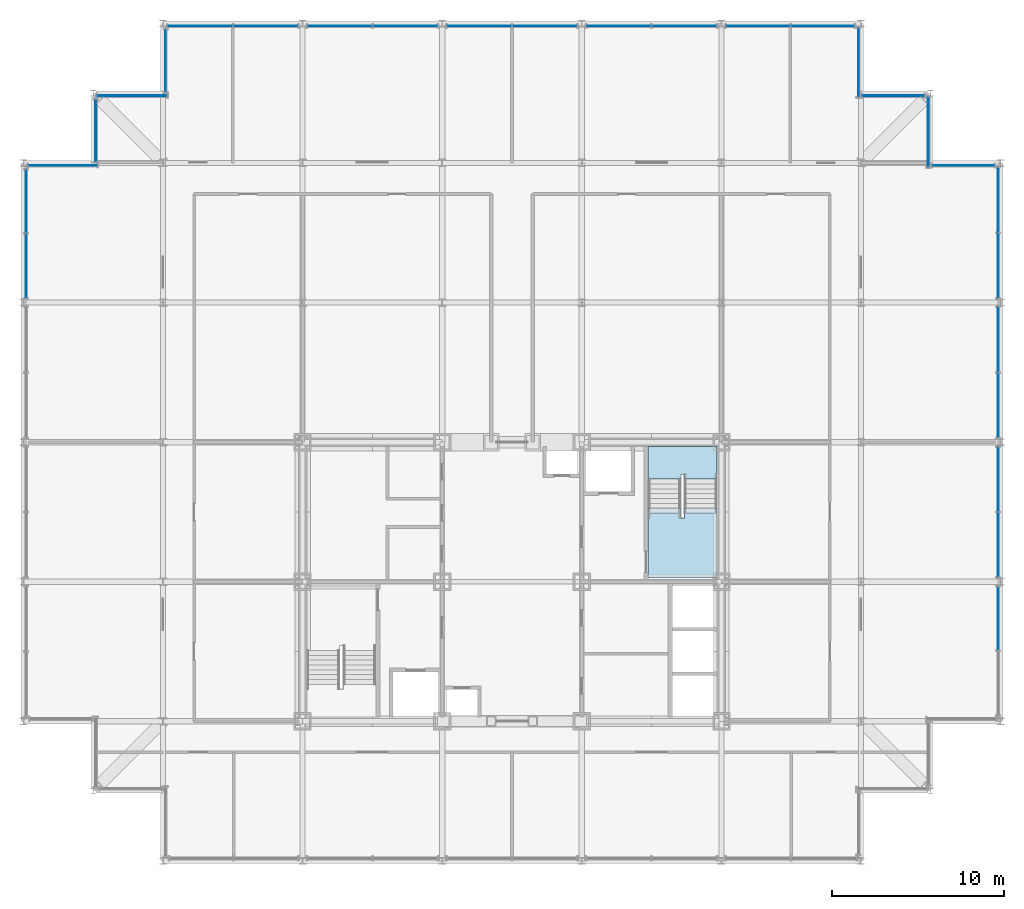
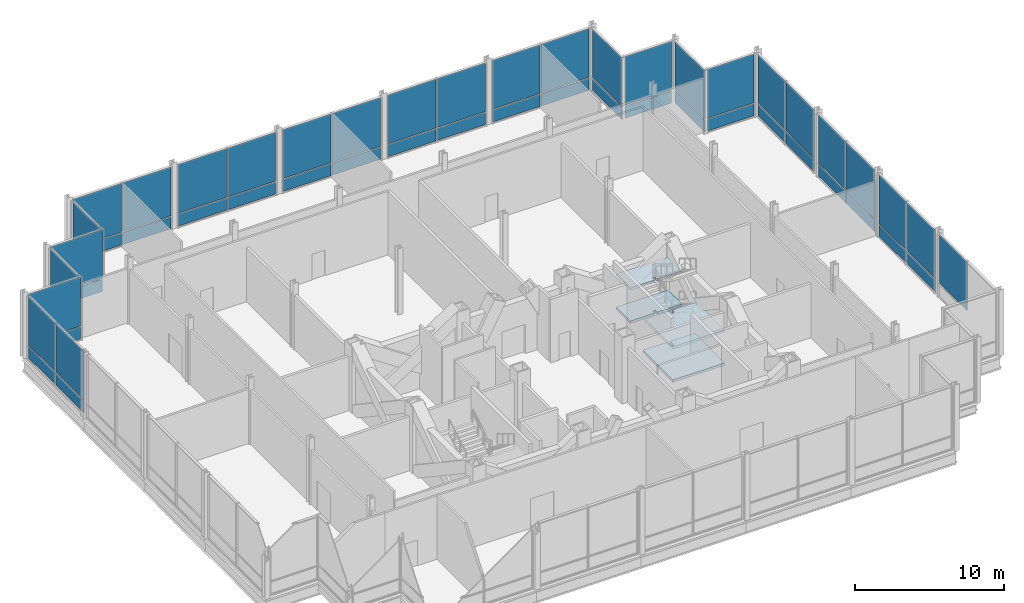
# One storey, part 13 of 21: 53 plates, 4 slabs, 19 elements without a shape of their own.
"""IFC4 building model written with IfcOpenShell, lengths in metres."""

from ifc_helpers import new_model, si_unit, direction, frame, origin, origin_2d, place, context, subcontext, project, spatial, polyline, rectangle, outline, extrude, material, layer, layer_set, type_object, element, aggregate, save


model = new_model("IFC4")

# Units and contexts
model_context = context("Model", 3, precision=1e-05, world=origin(), true_north=direction((0.0, 1.0)))
body_context = subcontext(model_context, "Body", "Model", "MODEL_VIEW")
ifc_project = project(units=[si_unit("LENGTHUNIT", "METRE"), si_unit("AREAUNIT", "SQUARE_METRE"), si_unit("VOLUMEUNIT", "CUBIC_METRE"), si_unit("PLANEANGLEUNIT", "RADIAN"), si_unit("MASSUNIT", "GRAM", prefix="KILO")], contexts=[model_context])

# Site, building, storey
site_placement = place(None, origin())
site = spatial("IfcSite", under=ifc_project, at=site_placement, CompositionType="ELEMENT")
building_placement = place(site_placement, origin())
building = spatial("IfcBuilding", under=site, at=building_placement, Name="Kopane Lantern Tower", CompositionType="ELEMENT")
storey_placement = place(building_placement, frame((0.0, 0.0, 298.5)))
storey = spatial("IfcBuildingStorey", under=building, at=storey_placement, Name="L76", CompositionType="ELEMENT", Elevation=298.5)

# Curtain wall, plate
ifc_material_1 = material(Name="Aluminium and clear glass", Category="aluminium")
curtain_wall_type = type_object("IfcCurtainWallType", Name="CURTAIN WALL CW6 LANTERN CROWN", PredefinedType="USERDEFINED", material=ifc_material_1)
curtain_wall_1_placement = place(storey_placement, origin())
curtain_wall_1 = element("IfcCurtainWall", 1, at=curtain_wall_1_placement, inside=storey, type_object=curtain_wall_type, Name="Curtain wall CW6 E L76", ObjectType="CURTAIN WALL", PredefinedType="USERDEFINED")
ifc_material_2 = material(Name="Insulated clear glass unit", Category="glass")
ifc_layer_1 = layer(ifc_material_2, 0.0400390625)
ifc_layer_set_1 = layer_set([ifc_layer_1], Name="CURTAIN PANEL CW6-P 40")
plate_type = type_object("IfcPlateType", Name="CURTAIN PANEL CW6-P 40", PredefinedType="CURTAIN_PANEL", material=ifc_layer_set_1)
plate_1_placement = place(storey_placement, frame((56.550048828125, 30.278564453125, 1.14013671875), z_axis=(0.0, 0.0, 1.0), x_axis=(0.0, 1.0, 0.0)))
plate_1 = element("IfcPlate", 2, at=plate_1_placement, type_object=plate_type, Name="CW6 panel 2.2", PredefinedType="CURTAIN_PANEL", context=body_context, shape_type="SweptSolid", body=[
    extrude(rectangle(XDim=3.67919921875, YDim=0.0400390625, at=origin_2d()), origin(), (0.0, 0.0, 1.0), 3.969970703125),
])
aggregate(curtain_wall_1, [plate_1])

# Curtain wall, plates
curtain_wall_2_placement = place(storey_placement, origin())
curtain_wall_2 = element("IfcCurtainWall", 3, at=curtain_wall_2_placement, inside=storey, type_object=curtain_wall_type, Name="Curtain wall CW6 E L76", ObjectType="CURTAIN WALL", PredefinedType="USERDEFINED")
plate_2_placement = place(storey_placement, frame((56.550048828125, 34.5458984375, 0.080078125), z_axis=(0.0, 0.0, 1.0), x_axis=(0.0, 1.0, 0.0)))
plate_2 = element("IfcPlate", 4, at=plate_2_placement, type_object=plate_type, Name="CW6 panel 1.1", PredefinedType="CURTAIN_PANEL", context=body_context, shape_type="SweptSolid", body=[
    extrude(rectangle(XDim=3.728271484375, YDim=0.0400390625, at=origin_2d()), origin(), (0.0, 0.0, 1.0), 0.97998046875),
])
plate_3_placement = place(storey_placement, frame((56.550048828125, 34.5458984375, 1.14013671875), z_axis=(0.0, 0.0, 1.0), x_axis=(0.0, 1.0, 0.0)))
plate_3 = element("IfcPlate", 5, at=plate_3_placement, type_object=plate_type, Name="CW6 panel 1.2", PredefinedType="CURTAIN_PANEL", context=body_context, shape_type="SweptSolid", body=[
    extrude(rectangle(XDim=3.728271484375, YDim=0.0400390625, at=origin_2d()), origin(), (0.0, 0.0, 1.0), 3.969970703125),
])
plate_4_placement = place(storey_placement, frame((56.550048828125, 38.35400390625, 0.080078125), z_axis=(0.0, 0.0, 1.0), x_axis=(0.0, 1.0, 0.0)))
plate_4 = element("IfcPlate", 6, at=plate_4_placement, type_object=plate_type, Name="CW6 panel 2.1", PredefinedType="CURTAIN_PANEL", context=body_context, shape_type="SweptSolid", body=[
    extrude(rectangle(XDim=3.728271484375, YDim=0.0400390625, at=origin_2d()), origin(), (0.0, 0.0, 1.0), 0.97998046875),
])
plate_5_placement = place(storey_placement, frame((56.550048828125, 38.35400390625, 1.14013671875), z_axis=(0.0, 0.0, 1.0), x_axis=(0.0, 1.0, 0.0)))
plate_5 = element("IfcPlate", 7, at=plate_5_placement, type_object=plate_type, Name="CW6 panel 2.2", PredefinedType="CURTAIN_PANEL", context=body_context, shape_type="SweptSolid", body=[
    extrude(rectangle(XDim=3.728271484375, YDim=0.0400390625, at=origin_2d()), origin(), (0.0, 0.0, 1.0), 3.969970703125),
])
aggregate(curtain_wall_2, [plate_2, plate_3, plate_4, plate_5])

curtain_wall_3_placement = place(storey_placement, origin())
curtain_wall_3 = element("IfcCurtainWall", 8, at=curtain_wall_3_placement, inside=storey, type_object=curtain_wall_type, Name="Curtain wall CW6 E L76", ObjectType="CURTAIN WALL", PredefinedType="USERDEFINED")
plate_6_placement = place(storey_placement, frame((56.550048828125, 42.64599609375, 0.080078125), z_axis=(0.0, 0.0, 1.0), x_axis=(0.0, 1.0, 0.0)))
plate_6 = element("IfcPlate", 9, at=plate_6_placement, type_object=plate_type, Name="CW6 panel 1.1", PredefinedType="CURTAIN_PANEL", context=body_context, shape_type="SweptSolid", body=[
    extrude(rectangle(XDim=3.728271484375, YDim=0.0400390625, at=origin_2d()), origin(), (0.0, 0.0, 1.0), 0.97998046875),
])
plate_7_placement = place(storey_placement, frame((56.550048828125, 42.64599609375, 1.14013671875), z_axis=(0.0, 0.0, 1.0), x_axis=(0.0, 1.0, 0.0)))
plate_7 = element("IfcPlate", 10, at=plate_7_placement, type_object=plate_type, Name="CW6 panel 1.2", PredefinedType="CURTAIN_PANEL", context=body_context, shape_type="SweptSolid", body=[
    extrude(rectangle(XDim=3.728271484375, YDim=0.0400390625, at=origin_2d()), origin(), (0.0, 0.0, 1.0), 3.969970703125),
])
plate_8_placement = place(storey_placement, frame((56.550048828125, 46.4541015625, 0.080078125), z_axis=(0.0, 0.0, 1.0), x_axis=(0.0, 1.0, 0.0)))
plate_8 = element("IfcPlate", 11, at=plate_8_placement, type_object=plate_type, Name="CW6 panel 2.1", PredefinedType="CURTAIN_PANEL", context=body_context, shape_type="SweptSolid", body=[
    extrude(rectangle(XDim=3.728271484375, YDim=0.0400390625, at=origin_2d()), origin(), (0.0, 0.0, 1.0), 0.97998046875),
])
plate_9_placement = place(storey_placement, frame((56.550048828125, 46.4541015625, 1.14013671875), z_axis=(0.0, 0.0, 1.0), x_axis=(0.0, 1.0, 0.0)))
plate_9 = element("IfcPlate", 12, at=plate_9_placement, type_object=plate_type, Name="CW6 panel 2.2", PredefinedType="CURTAIN_PANEL", context=body_context, shape_type="SweptSolid", body=[
    extrude(rectangle(XDim=3.728271484375, YDim=0.0400390625, at=origin_2d()), origin(), (0.0, 0.0, 1.0), 3.969970703125),
])
aggregate(curtain_wall_3, [plate_6, plate_7, plate_8, plate_9])

curtain_wall_4_placement = place(storey_placement, origin())
curtain_wall_4 = element("IfcCurtainWall", 13, at=curtain_wall_4_placement, inside=storey, type_object=curtain_wall_type, Name="Curtain wall CW6 E L76", ObjectType="CURTAIN WALL", PredefinedType="USERDEFINED")
plate_10_placement = place(storey_placement, frame((56.550048828125, 50.745849609375, 0.080078125), z_axis=(0.0, 0.0, 1.0), x_axis=(0.0, 1.0, 0.0)))
plate_10 = element("IfcPlate", 14, at=plate_10_placement, type_object=plate_type, Name="CW6 panel 1.1", PredefinedType="CURTAIN_PANEL", context=body_context, shape_type="SweptSolid", body=[
    extrude(rectangle(XDim=3.728271484375, YDim=0.0400390625, at=origin_2d()), origin(), (0.0, 0.0, 1.0), 0.97998046875),
])
plate_11_placement = place(storey_placement, frame((56.550048828125, 50.745849609375, 1.14013671875), z_axis=(0.0, 0.0, 1.0), x_axis=(0.0, 1.0, 0.0)))
plate_11 = element("IfcPlate", 15, at=plate_11_placement, type_object=plate_type, Name="CW6 panel 1.2", PredefinedType="CURTAIN_PANEL", context=body_context, shape_type="SweptSolid", body=[
    extrude(rectangle(XDim=3.728271484375, YDim=0.0400390625, at=origin_2d()), origin(), (0.0, 0.0, 1.0), 3.969970703125),
])
plate_12_placement = place(storey_placement, frame((56.550048828125, 54.55419921875, 0.080078125), z_axis=(0.0, 0.0, 1.0), x_axis=(0.0, 1.0, 0.0)))
plate_12 = element("IfcPlate", 16, at=plate_12_placement, type_object=plate_type, Name="CW6 panel 2.1", PredefinedType="CURTAIN_PANEL", context=body_context, shape_type="SweptSolid", body=[
    extrude(rectangle(XDim=3.728271484375, YDim=0.0400390625, at=origin_2d()), origin(), (0.0, 0.0, 1.0), 0.97998046875),
])
plate_13_placement = place(storey_placement, frame((56.550048828125, 54.55419921875, 1.14013671875), z_axis=(0.0, 0.0, 1.0), x_axis=(0.0, 1.0, 0.0)))
plate_13 = element("IfcPlate", 17, at=plate_13_placement, type_object=plate_type, Name="CW6 panel 2.2", PredefinedType="CURTAIN_PANEL", context=body_context, shape_type="SweptSolid", body=[
    extrude(rectangle(XDim=3.728271484375, YDim=0.0400390625, at=origin_2d()), origin(), (0.0, 0.0, 1.0), 3.969970703125),
])
aggregate(curtain_wall_4, [plate_10, plate_11, plate_12, plate_13])

curtain_wall_5_placement = place(storey_placement, origin())
curtain_wall_5 = element("IfcCurtainWall", 18, at=curtain_wall_5_placement, inside=storey, type_object=curtain_wall_type, Name="Curtain wall CW6 N L76", ObjectType="CURTAIN WALL", PredefinedType="USERDEFINED")
plate_14_placement = place(storey_placement, frame((54.52490234375, 56.550048828125, 0.080078125), z_axis=(0.0, 0.0, 1.0), x_axis=(-1.0, 0.0, 0.0)))
plate_14 = element("IfcPlate", 19, at=plate_14_placement, type_object=plate_type, Name="CW6 panel 1.1", PredefinedType="CURTAIN_PANEL", context=body_context, shape_type="SweptSolid", body=[
    extrude(rectangle(XDim=3.590087890625, YDim=0.0400390625, at=origin_2d()), origin(), (0.0, 0.0, 1.0), 0.97998046875),
])
plate_15_placement = place(storey_placement, frame((54.52490234375, 56.550048828125, 1.14013671875), z_axis=(0.0, 0.0, 1.0), x_axis=(-1.0, 0.0, 0.0)))
plate_15 = element("IfcPlate", 20, at=plate_15_placement, type_object=plate_type, Name="CW6 panel 1.2", PredefinedType="CURTAIN_PANEL", context=body_context, shape_type="SweptSolid", body=[
    extrude(rectangle(XDim=3.590087890625, YDim=0.0400390625, at=origin_2d()), origin(), (0.0, 0.0, 1.0), 3.969970703125),
])
aggregate(curtain_wall_5, [plate_14, plate_15])

curtain_wall_6_placement = place(storey_placement, origin())
curtain_wall_6 = element("IfcCurtainWall", 21, at=curtain_wall_6_placement, inside=storey, type_object=curtain_wall_type, Name="Curtain wall CW6 E L76", ObjectType="CURTAIN WALL", PredefinedType="USERDEFINED")
plate_16_placement = place(storey_placement, frame((52.5, 58.493896484375, 0.080078125), z_axis=(0.0, 0.0, 1.0), x_axis=(0.0, 1.0, 0.0)))
plate_16 = element("IfcPlate", 22, at=plate_16_placement, type_object=plate_type, Name="CW6 panel 1.1", PredefinedType="CURTAIN_PANEL", context=body_context, shape_type="SweptSolid", body=[
    extrude(rectangle(XDim=4.027587890625, YDim=0.0400390625, at=origin_2d()), origin(), (0.0, 0.0, 1.0), 0.97998046875),
])
plate_17_placement = place(storey_placement, frame((52.5, 58.493896484375, 1.14013671875), z_axis=(0.0, 0.0, 1.0), x_axis=(0.0, 1.0, 0.0)))
plate_17 = element("IfcPlate", 23, at=plate_17_placement, type_object=plate_type, Name="CW6 panel 1.2", PredefinedType="CURTAIN_PANEL", context=body_context, shape_type="SweptSolid", body=[
    extrude(rectangle(XDim=4.027587890625, YDim=0.0400390625, at=origin_2d()), origin(), (0.0, 0.0, 1.0), 3.969970703125),
])
aggregate(curtain_wall_6, [plate_16, plate_17])

curtain_wall_7_placement = place(storey_placement, origin())
curtain_wall_7 = element("IfcCurtainWall", 24, at=curtain_wall_7_placement, inside=storey, type_object=curtain_wall_type, Name="Curtain wall CW6 N L76", ObjectType="CURTAIN WALL", PredefinedType="USERDEFINED")
plate_18_placement = place(storey_placement, frame((50.47509765625, 60.60009765625, 0.080078125), z_axis=(0.0, 0.0, 1.0), x_axis=(-1.0, 0.0, 0.0)))
plate_18 = element("IfcPlate", 25, at=plate_18_placement, type_object=plate_type, Name="CW6 panel 1.1", PredefinedType="CURTAIN_PANEL", context=body_context, shape_type="SweptSolid", body=[
    extrude(rectangle(XDim=3.590087890625, YDim=0.0400390625, at=origin_2d()), origin(), (0.0, 0.0, 1.0), 0.97998046875),
])
plate_19_placement = place(storey_placement, frame((50.47509765625, 60.60009765625, 1.14013671875), z_axis=(0.0, 0.0, 1.0), x_axis=(-1.0, 0.0, 0.0)))
plate_19 = element("IfcPlate", 26, at=plate_19_placement, type_object=plate_type, Name="CW6 panel 1.2", PredefinedType="CURTAIN_PANEL", context=body_context, shape_type="SweptSolid", body=[
    extrude(rectangle(XDim=3.590087890625, YDim=0.0400390625, at=origin_2d()), origin(), (0.0, 0.0, 1.0), 3.969970703125),
])
aggregate(curtain_wall_7, [plate_18, plate_19])

curtain_wall_8_placement = place(storey_placement, origin())
curtain_wall_8 = element("IfcCurtainWall", 27, at=curtain_wall_8_placement, inside=storey, type_object=curtain_wall_type, Name="Curtain wall CW6 E L76", ObjectType="CURTAIN WALL", PredefinedType="USERDEFINED")
plate_20_placement = place(storey_placement, frame((48.449951171875, 62.524169921875, 0.080078125), z_axis=(0.0, 0.0, 1.0), x_axis=(0.0, 1.0, 0.0)))
plate_20 = element("IfcPlate", 28, at=plate_20_placement, type_object=plate_type, Name="CW6 panel 1.1", PredefinedType="CURTAIN_PANEL", context=body_context, shape_type="SweptSolid", body=[
    extrude(rectangle(XDim=3.98828125, YDim=0.0400390625, at=origin_2d()), origin(), (0.0, 0.0, 1.0), 0.97998046875),
])
plate_21_placement = place(storey_placement, frame((48.449951171875, 62.524169921875, 1.14013671875), z_axis=(0.0, 0.0, 1.0), x_axis=(0.0, 1.0, 0.0)))
plate_21 = element("IfcPlate", 29, at=plate_21_placement, type_object=plate_type, Name="CW6 panel 1.2", PredefinedType="CURTAIN_PANEL", context=body_context, shape_type="SweptSolid", body=[
    extrude(rectangle(XDim=3.98828125, YDim=0.0400390625, at=origin_2d()), origin(), (0.0, 0.0, 1.0), 3.969970703125),
])
aggregate(curtain_wall_8, [plate_20, plate_21])

curtain_wall_9_placement = place(storey_placement, origin())
curtain_wall_9 = element("IfcCurtainWall", 30, at=curtain_wall_9_placement, inside=storey, type_object=curtain_wall_type, Name="Curtain wall CW6 N L76", ObjectType="CURTAIN WALL", PredefinedType="USERDEFINED")
plate_22_placement = place(storey_placement, frame((46.381103515625, 64.64990234375, 0.080078125), z_axis=(0.0, 0.0, 1.0), x_axis=(-1.0, 0.0, 0.0)))
plate_22 = element("IfcPlate", 31, at=plate_22_placement, type_object=plate_type, Name="CW6 panel 1.1", PredefinedType="CURTAIN_PANEL", context=body_context, shape_type="SweptSolid", body=[
    extrude(rectangle(XDim=3.677734375, YDim=0.0400390625, at=origin_2d()), origin(), (0.0, 0.0, 1.0), 0.97998046875),
])
plate_23_placement = place(storey_placement, frame((46.381103515625, 64.64990234375, 1.14013671875), z_axis=(0.0, 0.0, 1.0), x_axis=(-1.0, 0.0, 0.0)))
plate_23 = element("IfcPlate", 32, at=plate_23_placement, type_object=plate_type, Name="CW6 panel 1.2", PredefinedType="CURTAIN_PANEL", context=body_context, shape_type="SweptSolid", body=[
    extrude(rectangle(XDim=3.677734375, YDim=0.0400390625, at=origin_2d()), origin(), (0.0, 0.0, 1.0), 3.969970703125),
])
plate_24_placement = place(storey_placement, frame((42.623291015625, 64.64990234375, 0.080078125), z_axis=(0.0, 0.0, 1.0), x_axis=(-1.0, 0.0, 0.0)))
plate_24 = element("IfcPlate", 33, at=plate_24_placement, type_object=plate_type, Name="CW6 panel 2.1", PredefinedType="CURTAIN_PANEL", context=body_context, shape_type="SweptSolid", body=[
    extrude(rectangle(XDim=3.677734375, YDim=0.0400390625, at=origin_2d()), origin(), (0.0, 0.0, 1.0), 0.97998046875),
])
plate_25_placement = place(storey_placement, frame((42.623291015625, 64.64990234375, 1.14013671875), z_axis=(0.0, 0.0, 1.0), x_axis=(-1.0, 0.0, 0.0)))
plate_25 = element("IfcPlate", 34, at=plate_25_placement, type_object=plate_type, Name="CW6 panel 2.2", PredefinedType="CURTAIN_PANEL", context=body_context, shape_type="SweptSolid", body=[
    extrude(rectangle(XDim=3.677734375, YDim=0.0400390625, at=origin_2d()), origin(), (0.0, 0.0, 1.0), 3.969970703125),
])
aggregate(curtain_wall_9, [plate_22, plate_23, plate_24, plate_25])

curtain_wall_10_placement = place(storey_placement, origin())
curtain_wall_10 = element("IfcCurtainWall", 35, at=curtain_wall_10_placement, inside=storey, type_object=curtain_wall_type, Name="Curtain wall CW6 N L76", ObjectType="CURTAIN WALL", PredefinedType="USERDEFINED")
plate_26_placement = place(storey_placement, frame((38.352783203125, 64.64990234375, 0.080078125), z_axis=(0.0, 0.0, 1.0), x_axis=(-1.0, 0.0, 0.0)))
plate_26 = element("IfcPlate", 36, at=plate_26_placement, type_object=plate_type, Name="CW6 panel 1.1", PredefinedType="CURTAIN_PANEL", context=body_context, shape_type="SweptSolid", body=[
    extrude(rectangle(XDim=3.7255859375, YDim=0.0400390625, at=origin_2d()), origin(), (0.0, 0.0, 1.0), 0.97998046875),
])
plate_27_placement = place(storey_placement, frame((38.352783203125, 64.64990234375, 1.14013671875), z_axis=(0.0, 0.0, 1.0), x_axis=(-1.0, 0.0, 0.0)))
plate_27 = element("IfcPlate", 37, at=plate_27_placement, type_object=plate_type, Name="CW6 panel 1.2", PredefinedType="CURTAIN_PANEL", context=body_context, shape_type="SweptSolid", body=[
    extrude(rectangle(XDim=3.7255859375, YDim=0.0400390625, at=origin_2d()), origin(), (0.0, 0.0, 1.0), 3.969970703125),
])
plate_28_placement = place(storey_placement, frame((34.54736328125, 64.64990234375, 0.080078125), z_axis=(0.0, 0.0, 1.0), x_axis=(-1.0, 0.0, 0.0)))
plate_28 = element("IfcPlate", 38, at=plate_28_placement, type_object=plate_type, Name="CW6 panel 2.1", PredefinedType="CURTAIN_PANEL", context=body_context, shape_type="SweptSolid", body=[
    extrude(rectangle(XDim=3.7255859375, YDim=0.0400390625, at=origin_2d()), origin(), (0.0, 0.0, 1.0), 0.97998046875),
])
plate_29_placement = place(storey_placement, frame((34.54736328125, 64.64990234375, 1.14013671875), z_axis=(0.0, 0.0, 1.0), x_axis=(-1.0, 0.0, 0.0)))
plate_29 = element("IfcPlate", 39, at=plate_29_placement, type_object=plate_type, Name="CW6 panel 2.2", PredefinedType="CURTAIN_PANEL", context=body_context, shape_type="SweptSolid", body=[
    extrude(rectangle(XDim=3.7255859375, YDim=0.0400390625, at=origin_2d()), origin(), (0.0, 0.0, 1.0), 3.969970703125),
])
aggregate(curtain_wall_10, [plate_26, plate_27, plate_28, plate_29])

curtain_wall_11_placement = place(storey_placement, origin())
curtain_wall_11 = element("IfcCurtainWall", 40, at=curtain_wall_11_placement, inside=storey, type_object=curtain_wall_type, Name="Curtain wall CW6 N L76", ObjectType="CURTAIN WALL", PredefinedType="USERDEFINED")
plate_30_placement = place(storey_placement, frame((30.252685546875, 64.64990234375, 0.080078125), z_axis=(0.0, 0.0, 1.0), x_axis=(-1.0, 0.0, 0.0)))
plate_30 = element("IfcPlate", 41, at=plate_30_placement, type_object=plate_type, Name="CW6 panel 1.1", PredefinedType="CURTAIN_PANEL", context=body_context, shape_type="SweptSolid", body=[
    extrude(rectangle(XDim=3.7255859375, YDim=0.0400390625, at=origin_2d()), origin(), (0.0, 0.0, 1.0), 0.97998046875),
])
plate_31_placement = place(storey_placement, frame((30.252685546875, 64.64990234375, 1.14013671875), z_axis=(0.0, 0.0, 1.0), x_axis=(-1.0, 0.0, 0.0)))
plate_31 = element("IfcPlate", 42, at=plate_31_placement, type_object=plate_type, Name="CW6 panel 1.2", PredefinedType="CURTAIN_PANEL", context=body_context, shape_type="SweptSolid", body=[
    extrude(rectangle(XDim=3.7255859375, YDim=0.0400390625, at=origin_2d()), origin(), (0.0, 0.0, 1.0), 3.969970703125),
])
plate_32_placement = place(storey_placement, frame((26.447265625, 64.64990234375, 0.080078125), z_axis=(0.0, 0.0, 1.0), x_axis=(-1.0, 0.0, 0.0)))
plate_32 = element("IfcPlate", 43, at=plate_32_placement, type_object=plate_type, Name="CW6 panel 2.1", PredefinedType="CURTAIN_PANEL", context=body_context, shape_type="SweptSolid", body=[
    extrude(rectangle(XDim=3.7255859375, YDim=0.0400390625, at=origin_2d()), origin(), (0.0, 0.0, 1.0), 0.97998046875),
])
plate_33_placement = place(storey_placement, frame((26.447265625, 64.64990234375, 1.14013671875), z_axis=(0.0, 0.0, 1.0), x_axis=(-1.0, 0.0, 0.0)))
plate_33 = element("IfcPlate", 44, at=plate_33_placement, type_object=plate_type, Name="CW6 panel 2.2", PredefinedType="CURTAIN_PANEL", context=body_context, shape_type="SweptSolid", body=[
    extrude(rectangle(XDim=3.7255859375, YDim=0.0400390625, at=origin_2d()), origin(), (0.0, 0.0, 1.0), 3.969970703125),
])
aggregate(curtain_wall_11, [plate_30, plate_31, plate_32, plate_33])

curtain_wall_12_placement = place(storey_placement, origin())
curtain_wall_12 = element("IfcCurtainWall", 45, at=curtain_wall_12_placement, inside=storey, type_object=curtain_wall_type, Name="Curtain wall CW6 N L76", ObjectType="CURTAIN WALL", PredefinedType="USERDEFINED")
plate_34_placement = place(storey_placement, frame((22.15283203125, 64.64990234375, 0.080078125), z_axis=(0.0, 0.0, 1.0), x_axis=(-1.0, 0.0, 0.0)))
plate_34 = element("IfcPlate", 46, at=plate_34_placement, type_object=plate_type, Name="CW6 panel 1.1", PredefinedType="CURTAIN_PANEL", context=body_context, shape_type="SweptSolid", body=[
    extrude(rectangle(XDim=3.7255859375, YDim=0.0400390625, at=origin_2d()), origin(), (0.0, 0.0, 1.0), 0.97998046875),
])
plate_35_placement = place(storey_placement, frame((22.15283203125, 64.64990234375, 1.14013671875), z_axis=(0.0, 0.0, 1.0), x_axis=(-1.0, 0.0, 0.0)))
plate_35 = element("IfcPlate", 47, at=plate_35_placement, type_object=plate_type, Name="CW6 panel 1.2", PredefinedType="CURTAIN_PANEL", context=body_context, shape_type="SweptSolid", body=[
    extrude(rectangle(XDim=3.7255859375, YDim=0.0400390625, at=origin_2d()), origin(), (0.0, 0.0, 1.0), 3.969970703125),
])
plate_36_placement = place(storey_placement, frame((18.34716796875, 64.64990234375, 0.080078125), z_axis=(0.0, 0.0, 1.0), x_axis=(-1.0, 0.0, 0.0)))
plate_36 = element("IfcPlate", 48, at=plate_36_placement, type_object=plate_type, Name="CW6 panel 2.1", PredefinedType="CURTAIN_PANEL", context=body_context, shape_type="SweptSolid", body=[
    extrude(rectangle(XDim=3.7255859375, YDim=0.0400390625, at=origin_2d()), origin(), (0.0, 0.0, 1.0), 0.97998046875),
])
plate_37_placement = place(storey_placement, frame((18.34716796875, 64.64990234375, 1.14013671875), z_axis=(0.0, 0.0, 1.0), x_axis=(-1.0, 0.0, 0.0)))
plate_37 = element("IfcPlate", 49, at=plate_37_placement, type_object=plate_type, Name="CW6 panel 2.2", PredefinedType="CURTAIN_PANEL", context=body_context, shape_type="SweptSolid", body=[
    extrude(rectangle(XDim=3.7255859375, YDim=0.0400390625, at=origin_2d()), origin(), (0.0, 0.0, 1.0), 3.969970703125),
])
aggregate(curtain_wall_12, [plate_34, plate_35, plate_36, plate_37])

curtain_wall_13_placement = place(storey_placement, origin())
curtain_wall_13 = element("IfcCurtainWall", 50, at=curtain_wall_13_placement, inside=storey, type_object=curtain_wall_type, Name="Curtain wall CW6 N L76", ObjectType="CURTAIN WALL", PredefinedType="USERDEFINED")
plate_38_placement = place(storey_placement, frame((14.052734375, 64.64990234375, 0.080078125), z_axis=(0.0, 0.0, 1.0), x_axis=(-1.0, 0.0, 0.0)))
plate_38 = element("IfcPlate", 51, at=plate_38_placement, type_object=plate_type, Name="CW6 panel 1.1", PredefinedType="CURTAIN_PANEL", context=body_context, shape_type="SweptSolid", body=[
    extrude(rectangle(XDim=3.7255859375, YDim=0.0400390625, at=origin_2d()), origin(), (0.0, 0.0, 1.0), 0.97998046875),
])
plate_39_placement = place(storey_placement, frame((14.052734375, 64.64990234375, 1.14013671875), z_axis=(0.0, 0.0, 1.0), x_axis=(-1.0, 0.0, 0.0)))
plate_39 = element("IfcPlate", 52, at=plate_39_placement, type_object=plate_type, Name="CW6 panel 1.2", PredefinedType="CURTAIN_PANEL", context=body_context, shape_type="SweptSolid", body=[
    extrude(rectangle(XDim=3.7255859375, YDim=0.0400390625, at=origin_2d()), origin(), (0.0, 0.0, 1.0), 3.969970703125),
])
plate_40_placement = place(storey_placement, frame((10.247314453125, 64.64990234375, 0.080078125), z_axis=(0.0, 0.0, 1.0), x_axis=(-1.0, 0.0, 0.0)))
plate_40 = element("IfcPlate", 53, at=plate_40_placement, type_object=plate_type, Name="CW6 panel 2.1", PredefinedType="CURTAIN_PANEL", context=body_context, shape_type="SweptSolid", body=[
    extrude(rectangle(XDim=3.7255859375, YDim=0.0400390625, at=origin_2d()), origin(), (0.0, 0.0, 1.0), 0.97998046875),
])
plate_41_placement = place(storey_placement, frame((10.247314453125, 64.64990234375, 1.14013671875), z_axis=(0.0, 0.0, 1.0), x_axis=(-1.0, 0.0, 0.0)))
plate_41 = element("IfcPlate", 54, at=plate_41_placement, type_object=plate_type, Name="CW6 panel 2.2", PredefinedType="CURTAIN_PANEL", context=body_context, shape_type="SweptSolid", body=[
    extrude(rectangle(XDim=3.7255859375, YDim=0.0400390625, at=origin_2d()), origin(), (0.0, 0.0, 1.0), 3.969970703125),
])
aggregate(curtain_wall_13, [plate_38, plate_39, plate_40, plate_41])

curtain_wall_14_placement = place(storey_placement, origin())
curtain_wall_14 = element("IfcCurtainWall", 55, at=curtain_wall_14_placement, inside=storey, type_object=curtain_wall_type, Name="Curtain wall CW6 W L76", ObjectType="CURTAIN WALL", PredefinedType="USERDEFINED")
plate_42_placement = place(storey_placement, frame((8.25, 62.625, 0.080078125), z_axis=(0.0, 0.0, 1.0), x_axis=(0.0, -1.0, 0.0)))
plate_42 = element("IfcPlate", 56, at=plate_42_placement, type_object=plate_type, Name="CW6 panel 1.1", PredefinedType="CURTAIN_PANEL", context=body_context, shape_type="SweptSolid", body=[
    extrude(rectangle(XDim=3.590087890625, YDim=0.0400390625, at=origin_2d()), origin(), (0.0, 0.0, 1.0), 0.97998046875),
])
plate_43_placement = place(storey_placement, frame((8.25, 62.625, 1.14013671875), z_axis=(0.0, 0.0, 1.0), x_axis=(0.0, -1.0, 0.0)))
plate_43 = element("IfcPlate", 57, at=plate_43_placement, type_object=plate_type, Name="CW6 panel 1.2", PredefinedType="CURTAIN_PANEL", context=body_context, shape_type="SweptSolid", body=[
    extrude(rectangle(XDim=3.590087890625, YDim=0.0400390625, at=origin_2d()), origin(), (0.0, 0.0, 1.0), 3.969970703125),
])
aggregate(curtain_wall_14, [plate_42, plate_43])

curtain_wall_15_placement = place(storey_placement, origin())
curtain_wall_15 = element("IfcCurtainWall", 58, at=curtain_wall_15_placement, inside=storey, type_object=curtain_wall_type, Name="Curtain wall CW6 N L76", ObjectType="CURTAIN WALL", PredefinedType="USERDEFINED")
plate_44_placement = place(storey_placement, frame((6.304443359375, 60.60009765625, 0.080078125), z_axis=(0.0, 0.0, 1.0), x_axis=(-1.0, 0.0, 0.0)))
plate_44 = element("IfcPlate", 59, at=plate_44_placement, type_object=plate_type, Name="CW6 panel 1.1", PredefinedType="CURTAIN_PANEL", context=body_context, shape_type="SweptSolid", body=[
    extrude(rectangle(XDim=4.03125, YDim=0.0400390625, at=origin_2d()), origin(), (0.0, 0.0, 1.0), 0.97998046875),
])
plate_45_placement = place(storey_placement, frame((6.304443359375, 60.60009765625, 1.14013671875), z_axis=(0.0, 0.0, 1.0), x_axis=(-1.0, 0.0, 0.0)))
plate_45 = element("IfcPlate", 60, at=plate_45_placement, type_object=plate_type, Name="CW6 panel 1.2", PredefinedType="CURTAIN_PANEL", context=body_context, shape_type="SweptSolid", body=[
    extrude(rectangle(XDim=4.03125, YDim=0.0400390625, at=origin_2d()), origin(), (0.0, 0.0, 1.0), 3.969970703125),
])
aggregate(curtain_wall_15, [plate_44, plate_45])

curtain_wall_16_placement = place(storey_placement, origin())
curtain_wall_16 = element("IfcCurtainWall", 61, at=curtain_wall_16_placement, inside=storey, type_object=curtain_wall_type, Name="Curtain wall CW6 W L76", ObjectType="CURTAIN WALL", PredefinedType="USERDEFINED")
plate_46_placement = place(storey_placement, frame((4.199951171875, 58.574951171875, 0.080078125), z_axis=(0.0, 0.0, 1.0), x_axis=(0.0, -1.0, 0.0)))
plate_46 = element("IfcPlate", 62, at=plate_46_placement, type_object=plate_type, Name="CW6 panel 1.1", PredefinedType="CURTAIN_PANEL", context=body_context, shape_type="SweptSolid", body=[
    extrude(rectangle(XDim=3.590087890625, YDim=0.0400390625, at=origin_2d()), origin(), (0.0, 0.0, 1.0), 0.97998046875),
])
plate_47_placement = place(storey_placement, frame((4.199951171875, 58.574951171875, 1.14013671875), z_axis=(0.0, 0.0, 1.0), x_axis=(0.0, -1.0, 0.0)))
plate_47 = element("IfcPlate", 63, at=plate_47_placement, type_object=plate_type, Name="CW6 panel 1.2", PredefinedType="CURTAIN_PANEL", context=body_context, shape_type="SweptSolid", body=[
    extrude(rectangle(XDim=3.590087890625, YDim=0.0400390625, at=origin_2d()), origin(), (0.0, 0.0, 1.0), 3.969970703125),
])
aggregate(curtain_wall_16, [plate_46, plate_47])

curtain_wall_17_placement = place(storey_placement, origin())
curtain_wall_17 = element("IfcCurtainWall", 64, at=curtain_wall_17_placement, inside=storey, type_object=curtain_wall_type, Name="Curtain wall CW6 N L76", ObjectType="CURTAIN WALL", PredefinedType="USERDEFINED")
plate_48_placement = place(storey_placement, frame((2.27734375, 56.550048828125, 0.080078125), z_axis=(0.0, 0.0, 1.0), x_axis=(-1.0, 0.0, 0.0)))
plate_48 = element("IfcPlate", 65, at=plate_48_placement, type_object=plate_type, Name="CW6 panel 1.1", PredefinedType="CURTAIN_PANEL", context=body_context, shape_type="SweptSolid", body=[
    extrude(rectangle(XDim=3.985595703125, YDim=0.0400390625, at=origin_2d()), origin(), (0.0, 0.0, 1.0), 0.97998046875),
])
plate_49_placement = place(storey_placement, frame((2.27734375, 56.550048828125, 1.14013671875), z_axis=(0.0, 0.0, 1.0), x_axis=(-1.0, 0.0, 0.0)))
plate_49 = element("IfcPlate", 66, at=plate_49_placement, type_object=plate_type, Name="CW6 panel 1.2", PredefinedType="CURTAIN_PANEL", context=body_context, shape_type="SweptSolid", body=[
    extrude(rectangle(XDim=3.985595703125, YDim=0.0400390625, at=origin_2d()), origin(), (0.0, 0.0, 1.0), 3.969970703125),
])
aggregate(curtain_wall_17, [plate_48, plate_49])

curtain_wall_18_placement = place(storey_placement, origin())
curtain_wall_18 = element("IfcCurtainWall", 67, at=curtain_wall_18_placement, inside=storey, type_object=curtain_wall_type, Name="Curtain wall CW6 W L76", ObjectType="CURTAIN WALL", PredefinedType="USERDEFINED")
plate_50_placement = place(storey_placement, frame((0.14990234375, 54.48046875, 0.080078125), z_axis=(0.0, 0.0, 1.0), x_axis=(0.0, -1.0, 0.0)))
plate_50 = element("IfcPlate", 68, at=plate_50_placement, type_object=plate_type, Name="CW6 panel 1.1", PredefinedType="CURTAIN_PANEL", context=body_context, shape_type="SweptSolid", body=[
    extrude(rectangle(XDim=3.67919921875, YDim=0.0400390625, at=origin_2d()), origin(), (0.0, 0.0, 1.0), 0.97998046875),
])
plate_51_placement = place(storey_placement, frame((0.14990234375, 54.48046875, 1.14013671875), z_axis=(0.0, 0.0, 1.0), x_axis=(0.0, -1.0, 0.0)))
plate_51 = element("IfcPlate", 69, at=plate_51_placement, type_object=plate_type, Name="CW6 panel 1.2", PredefinedType="CURTAIN_PANEL", context=body_context, shape_type="SweptSolid", body=[
    extrude(rectangle(XDim=3.67919921875, YDim=0.0400390625, at=origin_2d()), origin(), (0.0, 0.0, 1.0), 3.969970703125),
])
plate_52_placement = place(storey_placement, frame((0.14990234375, 50.721435546875, 0.080078125), z_axis=(0.0, 0.0, 1.0), x_axis=(0.0, -1.0, 0.0)))
plate_52 = element("IfcPlate", 70, at=plate_52_placement, type_object=plate_type, Name="CW6 panel 2.1", PredefinedType="CURTAIN_PANEL", context=body_context, shape_type="SweptSolid", body=[
    extrude(rectangle(XDim=3.67919921875, YDim=0.0400390625, at=origin_2d()), origin(), (0.0, 0.0, 1.0), 0.97998046875),
])
plate_53_placement = place(storey_placement, frame((0.14990234375, 50.721435546875, 1.14013671875), z_axis=(0.0, 0.0, 1.0), x_axis=(0.0, -1.0, 0.0)))
plate_53 = element("IfcPlate", 71, at=plate_53_placement, type_object=plate_type, Name="CW6 panel 2.2", PredefinedType="CURTAIN_PANEL", context=body_context, shape_type="SweptSolid", body=[
    extrude(rectangle(XDim=3.67919921875, YDim=0.0400390625, at=origin_2d()), origin(), (0.0, 0.0, 1.0), 3.969970703125),
])
aggregate(curtain_wall_18, [plate_50, plate_51, plate_52, plate_53])

# Stair, slabs
ifc_material_3 = material(Name="Steel S355JR", Category="steel")
stair_type = type_object("IfcStairType", Name="EXIT STAIR 1900 HALF TURN", PredefinedType="HALF_TURN_STAIR", material=ifc_material_3)
stair_placement = place(storey_placement, origin())
stair = element("IfcStair", 72, at=stair_placement, inside=storey, type_object=stair_type, Name="Exit stair ST2 L76", PredefinedType="HALF_TURN_STAIR")
ifc_material_4 = material(Name="Concrete C40/50", Category="concrete")
ifc_layer_2 = layer(ifc_material_4, 0.199951171875)
ifc_layer_set_2 = layer_set([ifc_layer_2], Name="STAIR LANDING 200")
slab_type = type_object("IfcSlabType", Name="STAIR LANDING 200", PredefinedType="LANDING", material=ifc_layer_set_2)
slab_1_placement = place(storey_placement, frame((0.0, 0.0, -0.199951171875)))
slab_1 = element("IfcSlab", 73, at=slab_1_placement, type_object=slab_type, Name="ST2 landing 1", PredefinedType="LANDING", context=body_context, shape_type="SweptSolid", body=[
    extrude(outline(polyline([(40.25, 36.669921875), (38.35009765625, 36.669921875), (38.35009765625, 36.110107421875), (38.14990234375, 36.110107421875), (38.14990234375, 36.669921875), (36.25, 36.669921875), (36.25, 32.64990234375), (40.25, 32.64990234375), (40.25, 36.669921875)])), origin(), (0.0, 0.0, 1.0), 0.199951171875),
])
slab_2_placement = place(storey_placement, frame((0.0, 0.0, 1.14990234375)))
slab_2 = element("IfcSlab", 74, at=slab_2_placement, type_object=slab_type, Name="ST2 landing 2", PredefinedType="LANDING", context=body_context, shape_type="SweptSolid", body=[
    extrude(outline(polyline([(38.14990234375, 38.6298828125), (38.35009765625, 38.6298828125), (38.35009765625, 38.35009765625), (40.25, 38.35009765625), (40.25, 40.25), (36.25, 40.25), (36.25, 38.35009765625), (38.14990234375, 38.35009765625), (38.14990234375, 38.6298828125)])), origin(), (0.0, 0.0, 1.0), 0.2001953125),
])
slab_3_placement = place(storey_placement, frame((0.0, 0.0, 2.5)))
slab_3 = element("IfcSlab", 75, at=slab_3_placement, type_object=slab_type, Name="ST2 landing 3", PredefinedType="LANDING", context=body_context, shape_type="SweptSolid", body=[
    extrude(outline(polyline([(40.25, 36.389892578125), (38.35009765625, 36.389892578125), (38.35009765625, 36.110107421875), (38.14990234375, 36.110107421875), (38.14990234375, 36.389892578125), (36.25, 36.389892578125), (36.25, 32.64990234375), (40.25, 32.64990234375), (40.25, 36.389892578125)])), origin(), (0.0, 0.0, 1.0), 0.199951171875),
])
slab_4_placement = place(storey_placement, frame((0.0, 0.0, 3.85009765625)))
slab_4 = element("IfcSlab", 76, at=slab_4_placement, type_object=slab_type, Name="ST2 landing 4", PredefinedType="LANDING", context=body_context, shape_type="SweptSolid", body=[
    extrude(outline(polyline([(38.14990234375, 38.6298828125), (38.35009765625, 38.6298828125), (38.35009765625, 38.35009765625), (40.25, 38.35009765625), (40.25, 40.25), (36.25, 40.25), (36.25, 38.35009765625), (38.14990234375, 38.35009765625), (38.14990234375, 38.6298828125)])), origin(), (0.0, 0.0, 1.0), 0.199951171875),
])
aggregate(stair, [slab_1, slab_2, slab_3, slab_4])

save(model, "model.ifc")
